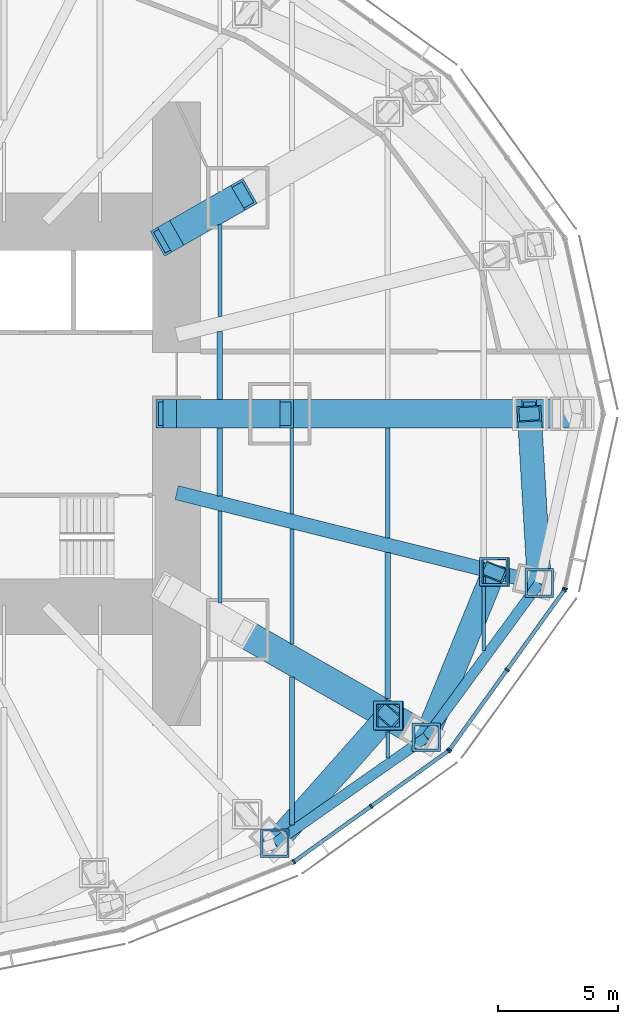
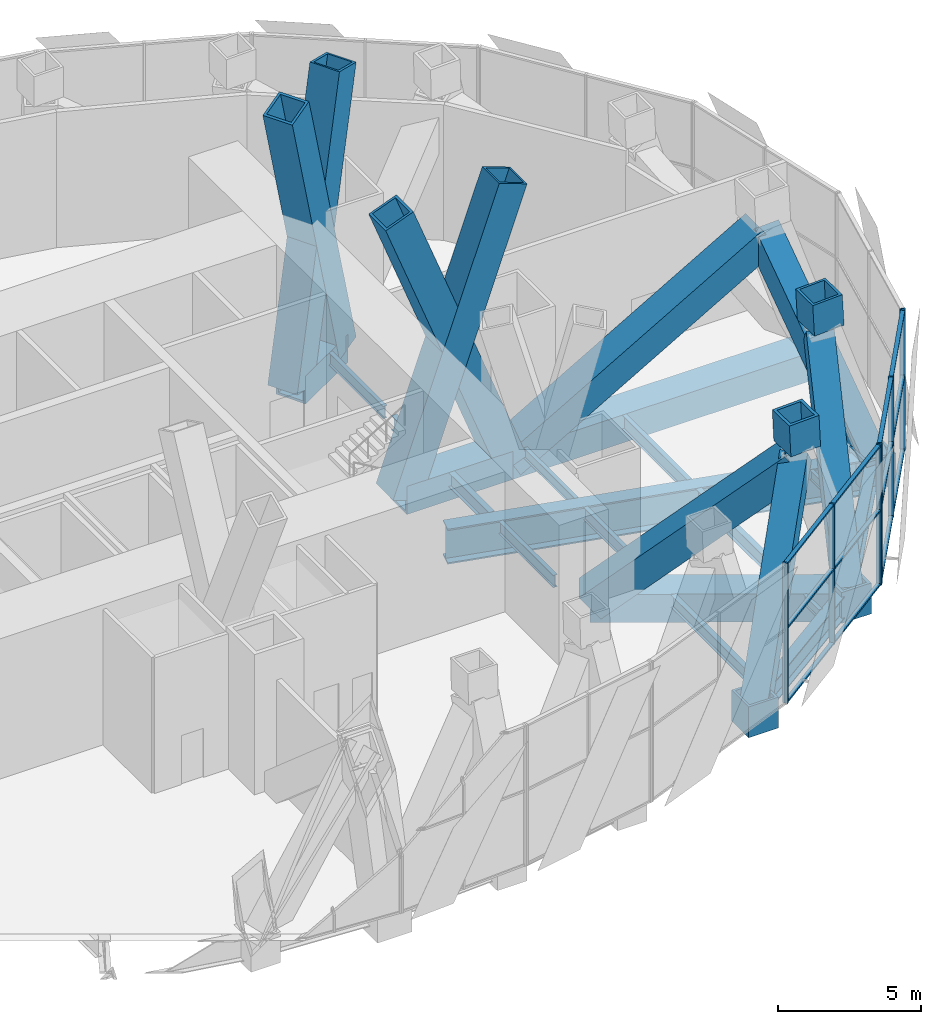
# One storey, part 6 of 21: 33 members, 18 beams, 3 elements without a shape of their own.
"""IFC4 building model written with IfcOpenShell, lengths in metres."""

import ifcopenshell
import ifcopenshell.guid

model = None  # the IFC model being written
_history = None  # IfcOwnerHistory: only IFC2X3 demands one
_inside = {}  # id of a spatial element -> (the spatial element, [elements in it])
_under = {}  # id of a project, library or spatial element -> (it, [spatial elements below it])
_declared = {}  # id of a project -> (the project, [libraries it declares])
_typed = {}  # id of a type object -> (the type object, [elements of that type])
_made_of = {}  # id of a material, layer set ... -> (it, [elements and type objects made of it])


def new_model(schema):
    """Start an empty IFC model of exactly this schema.

    Asked for "IFC4X3", IfcOpenShell would pick the latest addendum, in which some entities
    have other attributes; the version numbers below select the first issue.
    IFC2X3 requires an IfcOwnerHistory on every rooted entity: one is made here for all.
    """
    global model, _history
    if schema == "IFC4X3":
        model = ifcopenshell.file(schema_version=(4, 3, 0, 0))
    else:
        model = ifcopenshell.file(schema=schema)
    _inside.clear()
    _under.clear()
    _declared.clear()
    _typed.clear()
    _made_of.clear()
    _history = None
    if model.schema == "IFC2X3":
        org = make("IfcOrganization", Name="unknown")
        user = make(
            "IfcPersonAndOrganization",
            ThePerson=make("IfcPerson", FamilyName="unknown"),
            TheOrganization=org,
        )
        app = make(
            "IfcApplication",
            ApplicationDeveloper=org,
            Version="unknown",
            ApplicationFullName="unknown",
            ApplicationIdentifier="unknown",
        )
        _history = make(
            "IfcOwnerHistory",
            OwningUser=user,
            OwningApplication=app,
            ChangeAction="ADDED",
            CreationDate=0,
        )
    return model


def make(cls, **values):
    """One entity of the class cls with the attributes given. An attribute that is None is left unset."""
    return model.create_entity(
        cls, **{name: value for name, value in values.items() if value is not None}
    )


def rooted(cls, **values):
    """An entity with a GlobalId (a new one), such as an element, a storey or a relation."""
    return make(cls, GlobalId=ifcopenshell.guid.new(), OwnerHistory=_history, **values)


def si_unit(unit_type, name, prefix=None):
    """IfcSIUnit, for example si_unit("LENGTHUNIT", "METRE", prefix="MILLI")."""
    return make("IfcSIUnit", UnitType=unit_type, Prefix=prefix, Name=name)


def assignment(units):
    """IfcUnitAssignment: the units of a project."""
    return None if units is None else make("IfcUnitAssignment", Units=units)


def point(xyz):
    """IfcCartesianPoint."""
    return None if xyz is None else make("IfcCartesianPoint", Coordinates=xyz)


def direction(xyz):
    """IfcDirection."""
    return None if xyz is None else make("IfcDirection", DirectionRatios=xyz)


def frame(location, z_axis=None, x_axis=None):
    """IfcAxis2Placement3D, a coordinate frame: its origin and axes. An axis left out is left unset."""
    return make(
        "IfcAxis2Placement3D",
        Location=point(location),
        Axis=direction(z_axis),
        RefDirection=direction(x_axis),
    )


def frame_2d(location, x_axis=None):
    """IfcAxis2Placement2D, a coordinate frame in the plane: its origin and x axis."""
    return make(
        "IfcAxis2Placement2D", Location=point(location), RefDirection=direction(x_axis)
    )


def origin():
    """The frame at (0, 0, 0) with its axes left unset."""
    return frame((0.0, 0.0, 0.0))


def origin_2d():
    """The frame at (0, 0) in the plane with its x axis left unset."""
    return frame_2d((0.0, 0.0))


def place(relative_to, where):
    """IfcLocalPlacement: puts the frame where relative to a parent placement (None: the world)."""
    return make(
        "IfcLocalPlacement", PlacementRelTo=relative_to, RelativePlacement=where
    )


def context(
    kind, dimensions, precision=None, world=None, true_north=None, identifier=None
):
    """IfcGeometricRepresentationContext, for example the 3D "Model" context."""
    return make(
        "IfcGeometricRepresentationContext",
        ContextIdentifier=identifier,
        ContextType=kind,
        CoordinateSpaceDimension=dimensions,
        Precision=precision,
        WorldCoordinateSystem=world,
        TrueNorth=true_north,
    )


def subcontext(parent, identifier, kind, view, scale=None):
    """IfcGeometricRepresentationSubContext, for example "Body" below "Model"."""
    return make(
        "IfcGeometricRepresentationSubContext",
        ContextIdentifier=identifier,
        ContextType=kind,
        ParentContext=parent,
        TargetScale=scale,
        TargetView=view,
    )


def project(units=None, contexts=None):
    """IfcProject with its units and contexts."""
    return rooted(
        "IfcProject",
        Name="project",
        RepresentationContexts=contexts,
        UnitsInContext=assignment(units),
    )


def spatial(cls, under=None, at=None, **own):
    """A site, building, storey or space (cls), placed at a placement, below another one or the project."""
    s = rooted(cls, ObjectPlacement=at, **own)
    if under is not None:
        _under.setdefault(under.id(), (under, []))[1].append(s)
    return s


def profile(cls, at=None, kind="AREA", **sizes):
    """A parametric profile (cls). Its sizes go by their IFC names, for example OverallWidth=200.0."""
    return make(cls, ProfileType=kind, Position=at, **sizes)


def rectangle(**sizes):
    """IfcRectangleProfileDef."""
    return profile("IfcRectangleProfileDef", **sizes)


def hollow_rectangle(**sizes):
    """IfcRectangleHollowProfileDef."""
    return profile("IfcRectangleHollowProfileDef", **sizes)


def i_section(**sizes):
    """IfcIShapeProfileDef."""
    return profile("IfcIShapeProfileDef", **sizes)


def extrude(swept, where, along, depth):
    """IfcExtrudedAreaSolid: the profile swept, set in the frame where, extruded along a direction by depth."""
    return make(
        "IfcExtrudedAreaSolid",
        SweptArea=swept,
        Position=where,
        ExtrudedDirection=direction(along),
        Depth=depth,
    )


def shape(context_of_items, identifier, shape_type, items):
    """IfcShapeRepresentation: the items that make up one representation, for example the "Body"."""
    return make(
        "IfcShapeRepresentation",
        ContextOfItems=context_of_items,
        RepresentationIdentifier=identifier,
        RepresentationType=shape_type,
        Items=items,
    )


def material(Name=None, Category=None):
    """IfcMaterial."""
    return make("IfcMaterial", Name=Name, Category=Category)


def material_profile(
    of_material, cross_section, Name=None, Category=None, Priority=None
):
    """IfcMaterialProfile: a cross section and its material."""
    return make(
        "IfcMaterialProfile",
        Name=Name,
        Material=of_material,
        Profile=cross_section,
        Priority=Priority,
        Category=Category,
    )


def profile_set(profiles, Name=None, composite=None):
    """IfcMaterialProfileSet."""
    return make(
        "IfcMaterialProfileSet",
        Name=Name,
        MaterialProfiles=profiles,
        CompositeProfile=composite,
    )


def made_of(thing, what):
    """Note that an element or type object is made of a material, layer set ...; save() writes the relation."""
    if what is not None:
        _made_of.setdefault(what.id(), (what, []))[1].append(thing)
    return thing


def type_object(cls, material=None, **own):
    """A type object (cls), such as IfcWallType, which elements share."""
    return made_of(rooted(cls, **own), material)


def element(
    cls,
    number,
    at=None,
    inside=None,
    cuts=None,
    type_object=None,
    material=None,
    context=None,
    identifier="Body",
    shape_type=None,
    held_by="IfcProductDefinitionShape",
    body=None,
    shapes=None,
    **own,
):
    """One element of the class cls, such as IfcWall. Its Tag is "e" and its number.

    at: its placement. inside: the storey or other place that contains it. cuts: it is an
    opening in that element (IfcRelVoidsElement). A single representation is given by context,
    identifier, shape_type and body (its items); several are given by shapes. held_by: the class
    of the entity that holds the representations. save() writes the other relations.
    """
    e = rooted(cls, Tag="e%d" % number, ObjectPlacement=at, **own)
    if body is not None:
        shapes = [shape(context, identifier, shape_type, body)]
    if shapes is not None:
        e.Representation = make(held_by, Representations=shapes)
    if inside is not None:
        _inside.setdefault(inside.id(), (inside, []))[1].append(e)
    if cuts is not None:
        rooted(
            "IfcRelVoidsElement", RelatingBuildingElement=cuts, RelatedOpeningElement=e
        )
    if type_object is not None:
        _typed.setdefault(type_object.id(), (type_object, []))[1].append(e)
    return made_of(e, material)


def aggregate(whole, parts):
    """IfcRelAggregates: a whole, such as a stair, and the parts it consists of."""
    return rooted("IfcRelAggregates", RelatingObject=whole, RelatedObjects=parts)


def save(model, path):
    """Write the relations noted so far, then the file.

    IfcRelAggregates (storeys below a building ...), IfcRelContainedInSpatialStructure (elements
    in a storey), IfcRelDefinesByType, IfcRelAssociatesMaterial and IfcRelDeclares: one each for
    every whole, place, type object, material and project.
    """
    for whole, parts in _under.values():
        aggregate(whole, parts)
    for where, things in _inside.values():
        rooted(
            "IfcRelContainedInSpatialStructure",
            RelatedElements=things,
            RelatingStructure=where,
        )
    for kind, things in _typed.values():
        rooted("IfcRelDefinesByType", RelatedObjects=things, RelatingType=kind)
    for what, things in _made_of.values():
        rooted("IfcRelAssociatesMaterial", RelatedObjects=things, RelatingMaterial=what)
    for by, libraries in _declared.values():
        rooted("IfcRelDeclares", RelatingContext=by, RelatedDefinitions=libraries)
    model.write(path)


model = new_model("IFC4")

# Units and contexts
model_context = context("Model", 3, precision=1e-05, world=origin(), true_north=direction((0.0, 1.0)))
body_context = subcontext(model_context, "Body", "Model", "MODEL_VIEW")
ifc_project = project(units=[si_unit("LENGTHUNIT", "METRE"), si_unit("AREAUNIT", "SQUARE_METRE"), si_unit("VOLUMEUNIT", "CUBIC_METRE"), si_unit("PLANEANGLEUNIT", "RADIAN"), si_unit("MASSUNIT", "GRAM", prefix="KILO")], contexts=[model_context])

# Site, building, storey
site_placement = place(None, origin())
site = spatial("IfcSite", under=ifc_project, at=site_placement, CompositionType="ELEMENT")
building_placement = place(site_placement, origin())
building = spatial("IfcBuilding", under=site, at=building_placement, Name="Lantaw Convention Tower", CompositionType="ELEMENT")
storey_placement = place(building_placement, frame((0.0, 0.0, 105.39990234375)))
storey = spatial("IfcBuildingStorey", under=building, at=storey_placement, Name="L25", CompositionType="ELEMENT", Elevation=105.39990234375)

# Beams
ifc_material_1 = material(Name="Steel ASTM A992", Category="steel")
ifc_material_profile_1 = material_profile(ifc_material_1, i_section(OverallWidth=0.424072265625, OverallDepth=0.947509765625, WebThickness=0.02392578125, FlangeThickness=0.042724609375, FilletRadius=0.012451171875, at=origin_2d()), Name="W36X302")
ifc_profile_set_1 = profile_set([ifc_material_profile_1], Name="Steel ASTM A992")
beam_type_1 = type_object("IfcBeamType", Name="Beam BC W36X302", PredefinedType="SPANDREL", material=ifc_profile_set_1)
beam_1_placement = place(storey_placement, frame((17.290771484375, -17.9052734375, -0.673583984375), z_axis=(0.81942686407, 0.57318375277, 0.0), x_axis=(-0.57318375277, 0.81942686407, 0.0)))
element("IfcBeam", 1, at=beam_1_placement, inside=storey, type_object=beam_type_1, Name="Belt truss chord 22", PredefinedType="SPANDREL", context=body_context, shape_type="SweptSolid", body=[
    extrude(i_section(OverallWidth=0.424072265625, OverallDepth=0.947509765625, WebThickness=0.02392578125, FlangeThickness=0.042724609375, FilletRadius=0.012451171875, at=origin_2d()), origin(), (0.0, 0.0, 1.0), 7.70556640625),
])
beam_2_placement = place(storey_placement, frame((23.60498046875, -13.488525390625, -0.673583984375), z_axis=(0.591270709086, 0.806473154281, 0.0), x_axis=(-0.806473154281, 0.591270709086, 0.0)))
element("IfcBeam", 2, at=beam_2_placement, inside=storey, type_object=beam_type_1, Name="Belt truss chord 23", PredefinedType="SPANDREL", context=body_context, shape_type="SweptSolid", body=[
    extrude(i_section(OverallWidth=0.424072265625, OverallDepth=0.947509765625, WebThickness=0.02392578125, FlangeThickness=0.042724609375, FilletRadius=0.012451171875, at=origin_2d()), origin(), (0.0, 0.0, 1.0), 7.970703125),
])
ifc_material_2 = material(Name="Steel EN 10025-3 S460N", Category="steel")
ifc_material_profile_2 = material_profile(ifc_material_2, hollow_rectangle(XDim=1.199951171875, YDim=1.199951171875, WallThickness=0.10009765625, at=origin_2d()), Name="BOX1200X100")
ifc_profile_set_2 = profile_set([ifc_material_profile_2], Name="Steel EN 10025-3 S460N")
beam_type_2 = type_object("IfcBeamType", Name="Beam G BOX1200X100", PredefinedType="BEAM", material=ifc_profile_set_2)
beam_3_placement = place(storey_placement, frame((17.5, 0.0, -0.7998046875), z_axis=(1.0, 0.0, 0.0), x_axis=(0.0, 1.0, 0.0)))
element("IfcBeam", 3, at=beam_3_placement, inside=storey, type_object=beam_type_2, Name="Floor girder on ray 1", PredefinedType="BEAM", context=body_context, shape_type="SweptSolid", body=[
    extrude(hollow_rectangle(XDim=1.199951171875, YDim=1.199951171875, WallThickness=0.10009765625, at=origin_2d()), origin(), (0.0, 0.0, 1.0), 12.39990234375),
])
beam_4_placement = place(storey_placement, frame((15.75, -9.0, -0.7998046875), z_axis=(0.868244802791, -0.496136032179, 0.0), x_axis=(0.496136032179, 0.868244802791, 0.0)))
element("IfcBeam", 4, at=beam_4_placement, inside=storey, type_object=beam_type_2, Name="Floor girder on ray 23", PredefinedType="BEAM", context=body_context, shape_type="SweptSolid", body=[
    extrude(hollow_rectangle(XDim=1.199951171875, YDim=1.199951171875, WallThickness=0.10009765625, at=origin_2d()), origin(), (0.0, 0.0, 1.0), 9.046875),
])
ifc_material_3 = material(Name="Steel ASTM A572 Grade 50", Category="steel")
ifc_material_profile_3 = material_profile(ifc_material_3, i_section(OverallWidth=0.60009765625, OverallDepth=1.5, WebThickness=0.02490234375, FlangeThickness=0.06005859375, at=origin_2d()), Name="PG1500X600X25X60")
ifc_profile_set_3 = profile_set([ifc_material_profile_3], Name="Steel ASTM A572 Grade 50")
beam_type_3 = type_object("IfcBeamType", Name="Beam G PG1500X600X25X60", PredefinedType="BEAM", material=ifc_profile_set_3)
beam_5_placement = place(storey_placement, frame((13.199951171875, -3.291015625, -0.949951171875), z_axis=(0.970296233567, -0.241919860957, 0.0), x_axis=(0.241919860957, 0.970296233567, 0.0)))
element("IfcBeam", 5, at=beam_5_placement, inside=storey, type_object=beam_type_3, Name="Floor girder on ray 24", PredefinedType="BEAM", context=body_context, shape_type="SweptSolid", body=[
    extrude(i_section(OverallWidth=0.60009765625, OverallDepth=1.5, WebThickness=0.02490234375, FlangeThickness=0.06005859375, at=origin_2d()), origin(), (0.0, 0.0, 1.0), 15.580810546875),
])
ifc_material_profile_4 = material_profile(ifc_material_1, i_section(OverallWidth=0.140380859375, OverallDepth=0.40380859375, WebThickness=0.007080078125, FlangeThickness=0.01123046875, FilletRadius=0.01025390625, at=origin_2d()), Name="W16X31")
ifc_profile_set_4 = profile_set([ifc_material_profile_4], Name="Steel ASTM A992")
beam_type_4 = type_object("IfcBeamType", Name="Beam J W16X31", PredefinedType="JOIST", material=ifc_profile_set_4)
beam_6_placement = place(storey_placement, frame((22.0, -14.352294921875, -0.40185546875), z_axis=(0.0, 1.0, 0.0), x_axis=(-1.0, 0.0, 0.0)))
element("IfcBeam", 6, at=beam_6_placement, inside=storey, type_object=beam_type_4, Name="Floor joist", PredefinedType="JOIST", context=body_context, shape_type="SweptSolid", body=[
    extrude(i_section(OverallWidth=0.140380859375, OverallDepth=0.40380859375, WebThickness=0.007080078125, FlangeThickness=0.01123046875, FilletRadius=0.01025390625, at=origin_2d()), origin(), (0.0, 0.0, 1.0), 1.08984375),
])
beam_7_placement = place(storey_placement, frame((26.0, -9.863037109375, -0.40185546875), z_axis=(0.0, 1.0, 0.0), x_axis=(-1.0, 0.0, 0.0)))
element("IfcBeam", 7, at=beam_7_placement, inside=storey, type_object=beam_type_4, Name="Floor joist", PredefinedType="JOIST", context=body_context, shape_type="SweptSolid", body=[
    extrude(i_section(OverallWidth=0.140380859375, OverallDepth=0.40380859375, WebThickness=0.007080078125, FlangeThickness=0.01123046875, FilletRadius=0.01025390625, at=origin_2d()), origin(), (0.0, 0.0, 1.0), 3.0712890625),
])
ifc_material_profile_5 = material_profile(ifc_material_1, i_section(OverallWidth=0.15234375, OverallDepth=0.449462890625, WebThickness=0.007568359375, FlangeThickness=0.0107421875, FilletRadius=0.01025390625, at=origin_2d()), Name="W18X35")
ifc_profile_set_5 = profile_set([ifc_material_profile_5], Name="Steel ASTM A992")
beam_type_5 = type_object("IfcBeamType", Name="Beam J W18X35", PredefinedType="JOIST", material=ifc_profile_set_5)
beam_8_placement = place(storey_placement, frame((18.0, -4.1787109375, -0.4248046875), z_axis=(0.0, 1.0, 0.0), x_axis=(-1.0, 0.0, 0.0)))
element("IfcBeam", 8, at=beam_8_placement, inside=storey, type_object=beam_type_5, Name="Floor joist", PredefinedType="JOIST", context=body_context, shape_type="SweptSolid", body=[
    extrude(i_section(OverallWidth=0.15234375, OverallDepth=0.449462890625, WebThickness=0.007568359375, FlangeThickness=0.0107421875, FilletRadius=0.01025390625, at=origin_2d()), origin(), (0.0, 0.0, 1.0), 3.57861328125),
])
ifc_material_profile_6 = material_profile(ifc_material_1, i_section(OverallWidth=0.1650390625, OverallDepth=0.52587890625, WebThickness=0.0087890625, FlangeThickness=0.011474609375, FilletRadius=0.0126953125, at=origin_2d()), Name="W21X44")
ifc_profile_set_6 = profile_set([ifc_material_profile_6], Name="Steel ASTM A992")
beam_type_6 = type_object("IfcBeamType", Name="Beam J W21X44", PredefinedType="JOIST", material=ifc_profile_set_6)
for number, where, z_axis, x_axis, name in (
    (9, (15.0, -7.88037109375, -0.462890625), (0.0, 1.0, 0.0), (-1.0, 0.0, 0.0), "Floor joist"),
    (10, (15.0, 4.049072265625, -0.462890625), (0.0, 1.0, 0.0), (-1.0, 0.0, 0.0), "Floor joist"),
):
    element("IfcBeam", number, at=place(storey_placement, frame(where, z_axis=z_axis, x_axis=x_axis)), inside=storey, type_object=beam_type_6, Name=name, PredefinedType="JOIST", context=body_context, shape_type="SweptSolid", body=[
        extrude(i_section(OverallWidth=0.1650390625, OverallDepth=0.52587890625, WebThickness=0.0087890625, FlangeThickness=0.011474609375, FilletRadius=0.0126953125, at=origin_2d()), origin(), (0.0, 0.0, 1.0), 3.831298828125),
    ])
beam_9_placement = place(storey_placement, frame((18.0, -9.5947265625, -0.462890625), z_axis=(0.0, 1.0, 0.0), x_axis=(-1.0, 0.0, 0.0)))
element("IfcBeam", 11, at=beam_9_placement, inside=storey, type_object=beam_type_6, Name="Floor joist", PredefinedType="JOIST", context=body_context, shape_type="SweptSolid", body=[
    extrude(i_section(OverallWidth=0.1650390625, OverallDepth=0.52587890625, WebThickness=0.0087890625, FlangeThickness=0.011474609375, FilletRadius=0.0126953125, at=origin_2d()), origin(), (0.0, 0.0, 1.0), 4.797607421875),
])
ifc_material_profile_7 = material_profile(ifc_material_1, i_section(OverallWidth=0.209228515625, OverallDepth=0.533447265625, WebThickness=0.01025390625, FlangeThickness=0.015625, FilletRadius=0.012939453125, at=origin_2d()), Name="W21X62")
ifc_profile_set_7 = profile_set([ifc_material_profile_7], Name="Steel ASTM A992")
beam_type_7 = type_object("IfcBeamType", Name="Beam J W21X62", PredefinedType="JOIST", material=ifc_profile_set_7)
beam_10_placement = place(storey_placement, frame((18.0, -17.150390625, -0.466552734375), z_axis=(0.0, 1.0, 0.0), x_axis=(-1.0, 0.0, 0.0)))
element("IfcBeam", 12, at=beam_10_placement, inside=storey, type_object=beam_type_7, Name="Floor joist", PredefinedType="JOIST", context=body_context, shape_type="SweptSolid", body=[
    extrude(i_section(OverallWidth=0.209228515625, OverallDepth=0.533447265625, WebThickness=0.01025390625, FlangeThickness=0.015625, FilletRadius=0.012939453125, at=origin_2d()), origin(), (0.0, 0.0, 1.0), 6.173583984375),
])
ifc_material_profile_8 = material_profile(ifc_material_1, i_section(OverallWidth=0.177978515625, OverallDepth=0.599365234375, WebThickness=0.010009765625, FlangeThickness=0.012939453125, FilletRadius=0.012939453125, at=origin_2d()), Name="W24X55")
ifc_profile_set_8 = profile_set([ifc_material_profile_8], Name="Steel ASTM A992")
beam_type_8 = type_object("IfcBeamType", Name="Beam J W24X55", PredefinedType="JOIST", material=ifc_profile_set_8)
beam_11_placement = place(storey_placement, frame((22.0, -5.176025390625, -0.49951171875), z_axis=(0.0, 1.0, 0.0), x_axis=(-1.0, 0.0, 0.0)))
element("IfcBeam", 13, at=beam_11_placement, inside=storey, type_object=beam_type_8, Name="Floor joist", PredefinedType="JOIST", context=body_context, shape_type="SweptSolid", body=[
    extrude(i_section(OverallWidth=0.177978515625, OverallDepth=0.599365234375, WebThickness=0.010009765625, FlangeThickness=0.012939453125, FilletRadius=0.012939453125, at=origin_2d()), origin(), (0.0, 0.0, 1.0), 4.575927734375),
])
ifc_material_profile_9 = material_profile(ifc_material_1, i_section(OverallWidth=0.227783203125, OverallDepth=0.60205078125, WebThickness=0.010498046875, FlangeThickness=0.014892578125, FilletRadius=0.012939453125, at=origin_2d()), Name="W24X68")
ifc_profile_set_9 = profile_set([ifc_material_profile_9], Name="Steel ASTM A992")
beam_type_9 = type_object("IfcBeamType", Name="Beam J W24X68", PredefinedType="JOIST", material=ifc_profile_set_9)
beam_12_placement = place(storey_placement, frame((22.0, -11.88037109375, -0.5009765625), z_axis=(0.0, 1.0, 0.0), x_axis=(-1.0, 0.0, 0.0)))
element("IfcBeam", 14, at=beam_12_placement, inside=storey, type_object=beam_type_9, Name="Floor joist", PredefinedType="JOIST", context=body_context, shape_type="SweptSolid", body=[
    extrude(i_section(OverallWidth=0.227783203125, OverallDepth=0.60205078125, WebThickness=0.010498046875, FlangeThickness=0.014892578125, FilletRadius=0.012939453125, at=origin_2d()), origin(), (0.0, 0.0, 1.0), 6.0859375),
])
ifc_material_profile_10 = material_profile(ifc_material_1, i_section(OverallWidth=0.22900390625, OverallDepth=0.612060546875, WebThickness=0.011962890625, FlangeThickness=0.01953125, FilletRadius=0.0126953125, at=origin_2d()), Name="W24X84")
ifc_profile_set_10 = profile_set([ifc_material_profile_10], Name="Steel ASTM A992")
beam_type_10 = type_object("IfcBeamType", Name="Beam J W24X84", PredefinedType="JOIST", material=ifc_profile_set_10)
for number, where, z_axis, x_axis, name in (
    (15, (15.0, -3.4306640625, -0.505859375), (0.0, 1.0, 0.0), (-1.0, 0.0, 0.0), "Floor joist"),
    (16, (15.0, 0.60009765625, -0.505859375), (0.0, 1.0, 0.0), (-1.0, 0.0, 0.0), "Floor joist"),
):
    element("IfcBeam", number, at=place(storey_placement, frame(where, z_axis=z_axis, x_axis=x_axis)), inside=storey, type_object=beam_type_10, Name=name, PredefinedType="JOIST", context=body_context, shape_type="SweptSolid", body=[
        extrude(i_section(OverallWidth=0.22900390625, OverallDepth=0.612060546875, WebThickness=0.011962890625, FlangeThickness=0.01953125, FilletRadius=0.0126953125, at=origin_2d()), origin(), (0.0, 0.0, 1.0), 2.83056640625),
    ])
ifc_material_profile_11 = material_profile(ifc_material_2, hollow_rectangle(XDim=1.199951171875, YDim=1.199951171875, WallThickness=0.10009765625, at=origin_2d()), Name="BOX1200X100")
ifc_profile_set_11 = profile_set([ifc_material_profile_11], Name="Steel EN 10025-3 S460N")
beam_type_11 = type_object("IfcBeamType", Name="Beam OC BOX1200X100", PredefinedType="BEAM", material=ifc_profile_set_11)
beam_13_placement = place(storey_placement, frame((13.199951171875, 0.0, -0.7998046875), z_axis=(1.0, 0.0, 0.0), x_axis=(0.0, 1.0, 0.0)))
element("IfcBeam", 17, at=beam_13_placement, inside=storey, type_object=beam_type_11, Name="Outrigger chord on ray 1", PredefinedType="BEAM", context=body_context, shape_type="SweptSolid", body=[
    extrude(hollow_rectangle(XDim=1.199951171875, YDim=1.199951171875, WallThickness=0.10009765625, at=origin_2d()), origin(), (0.0, 0.0, 1.0), 4.300048828125),
])
beam_14_placement = place(storey_placement, frame((13.199951171875, 7.54296875, -0.7998046875), z_axis=(0.868263603466, 0.496103129295, 0.0), x_axis=(-0.496103129295, 0.868263603466, 0.0)))
element("IfcBeam", 18, at=beam_14_placement, inside=storey, type_object=beam_type_11, Name="Outrigger chord on ray 3", PredefinedType="BEAM", context=body_context, shape_type="SweptSolid", body=[
    extrude(hollow_rectangle(XDim=1.199951171875, YDim=1.199951171875, WallThickness=0.10009765625, at=origin_2d()), origin(), (0.0, 0.0, 1.0), 2.93701171875),
])

# Curtain wall, members
ifc_material_4 = material(Name="Aluminium framed curtain wall", Category="aluminium")
curtain_wall_type = type_object("IfcCurtainWallType", Name="Plant floor louvre wall, pale aluminium", PredefinedType="USERDEFINED", material=ifc_material_4)
curtain_wall_1_placement = place(storey_placement, origin())
curtain_wall_1 = element("IfcCurtainWall", 19, at=curtain_wall_1_placement, inside=storey, type_object=curtain_wall_type, Name="Plant floor louvre wall, pale aluminium L25", ObjectType="LOUVRE WALL", PredefinedType="USERDEFINED")
ifc_material_5 = material(Name="Aluminium 6063-T6", Category="aluminium")
ifc_material_profile_12 = material_profile(ifc_material_5, rectangle(XDim=0.199951171875, YDim=0.070068359375, at=origin_2d()), Name="CW-LV mullion 70x200")
ifc_profile_set_12 = profile_set([ifc_material_profile_12], Name="Aluminium 6063-T6")
member_type_1 = type_object("IfcMemberType", Name="CW-LV mullion 70x200", PredefinedType="MULLION", material=ifc_profile_set_12)
member_1_placement = place(storey_placement, frame((18.08349609375, -18.676025390625, -0.199951171875), z_axis=(0.0, 0.0, 1.0), x_axis=(-0.5825376308, 0.812803733199, 0.0)))
member_1 = element("IfcMember", 20, at=member_1_placement, type_object=member_type_1, Name="CW-LV mullion 1", PredefinedType="MULLION", context=body_context, shape_type="SweptSolid", body=[
    extrude(rectangle(XDim=0.199951171875, YDim=0.070068359375, at=origin_2d()), origin(), (0.0, 0.0, 1.0), 6.0),
])
member_2_placement = place(storey_placement, frame((21.307373046875, -16.365478515625, -0.199951171875), z_axis=(0.0, 0.0, 1.0), x_axis=(-0.5825376308, 0.812803733199, 0.0)))
member_2 = element("IfcMember", 21, at=member_2_placement, type_object=member_type_1, Name="CW-LV mullion 2", PredefinedType="MULLION", context=body_context, shape_type="SweptSolid", body=[
    extrude(rectangle(XDim=0.199951171875, YDim=0.070068359375, at=origin_2d()), origin(), (0.0, 0.0, 1.0), 6.0),
])
member_3_placement = place(storey_placement, frame((24.531494140625, -14.0546875, -0.199951171875), z_axis=(0.0, 0.0, 1.0), x_axis=(-0.5825376308, 0.812803733199, 0.0)))
member_3 = element("IfcMember", 22, at=member_3_placement, type_object=member_type_1, Name="CW-LV mullion 3", PredefinedType="MULLION", context=body_context, shape_type="SweptSolid", body=[
    extrude(rectangle(XDim=0.199951171875, YDim=0.070068359375, at=origin_2d()), origin(), (0.0, 0.0, 1.0), 6.0),
])

curtain_wall_2_placement = place(storey_placement, origin())
curtain_wall_2 = element("IfcCurtainWall", 23, at=curtain_wall_2_placement, inside=storey, type_object=curtain_wall_type, Name="Plant floor louvre wall, pale aluminium L25", ObjectType="LOUVRE WALL", PredefinedType="USERDEFINED")
member_4_placement = place(storey_placement, frame((24.580322265625, -14.005859375, -0.199951171875), z_axis=(0.0, 0.0, 1.0), x_axis=(-0.811788726895, 0.583951250436, 0.0)))
member_4 = element("IfcMember", 24, at=member_4_placement, type_object=member_type_1, Name="CW-LV mullion 1", PredefinedType="MULLION", context=body_context, shape_type="SweptSolid", body=[
    extrude(rectangle(XDim=0.199951171875, YDim=0.070068359375, at=origin_2d()), origin(), (0.0, 0.0, 1.0), 6.0),
])
member_5_placement = place(storey_placement, frame((26.97265625, -10.680419921875, -0.199951171875), z_axis=(0.0, 0.0, 1.0), x_axis=(-0.811788726895, 0.583951250436, 0.0)))
member_5 = element("IfcMember", 25, at=member_5_placement, type_object=member_type_1, Name="CW-LV mullion 2", PredefinedType="MULLION", context=body_context, shape_type="SweptSolid", body=[
    extrude(rectangle(XDim=0.199951171875, YDim=0.070068359375, at=origin_2d()), origin(), (0.0, 0.0, 1.0), 6.0),
])
member_6_placement = place(storey_placement, frame((29.36474609375, -7.35498046875, -0.199951171875), z_axis=(0.0, 0.0, 1.0), x_axis=(-0.811788726895, 0.583951250436, 0.0)))
member_6 = element("IfcMember", 26, at=member_6_placement, type_object=member_type_1, Name="CW-LV mullion 3", PredefinedType="MULLION", context=body_context, shape_type="SweptSolid", body=[
    extrude(rectangle(XDim=0.199951171875, YDim=0.070068359375, at=origin_2d()), origin(), (0.0, 0.0, 1.0), 6.0),
])

# Curtain wall, member
curtain_wall_3_placement = place(storey_placement, origin())
curtain_wall_3 = element("IfcCurtainWall", 27, at=curtain_wall_3_placement, inside=storey, type_object=curtain_wall_type, Name="Plant floor louvre wall, pale aluminium L25", ObjectType="LOUVRE WALL", PredefinedType="USERDEFINED")
member_7_placement = place(storey_placement, frame((29.392578125, -7.29248046875, -0.199951171875), z_axis=(0.0, 0.0, 1.0), x_axis=(-0.976559847223, 0.215246056391, 0.0)))
member_7 = element("IfcMember", 28, at=member_7_placement, type_object=member_type_1, Name="CW-LV mullion 1", PredefinedType="MULLION", context=body_context, shape_type="SweptSolid", body=[
    extrude(rectangle(XDim=0.199951171875, YDim=0.070068359375, at=origin_2d()), origin(), (0.0, 0.0, 1.0), 6.0),
])
aggregate(curtain_wall_3, [member_7])

# Member
ifc_material_profile_13 = material_profile(ifc_material_5, rectangle(XDim=0.159912109375, YDim=0.070068359375, at=origin_2d()), Name="CW-LV transom 70x160")
ifc_profile_set_13 = profile_set([ifc_material_profile_13], Name="Aluminium 6063-T6")
member_type_2 = type_object("IfcMemberType", Name="CW-LV transom 70x160", PredefinedType="USERDEFINED", material=ifc_profile_set_13)
member_8_placement = place(storey_placement, frame((18.11181640625, -18.65576171875, -0.164794921875), z_axis=(0.812796855992, 0.582547226317, 0.0), x_axis=(-0.582547226317, 0.812796855992, 0.0)))
member_8 = element("IfcMember", 29, at=member_8_placement, type_object=member_type_2, Name="CW-LV transom 1.1", ObjectType="TRANSOM", PredefinedType="USERDEFINED", context=body_context, shape_type="SweptSolid", body=[
    extrude(rectangle(XDim=0.159912109375, YDim=0.070068359375, at=origin_2d()), origin(), (0.0, 0.0, 1.0), 3.896728515625),
])

member_9_placement = place(storey_placement, frame((18.11181640625, -18.65576171875, 3.0), z_axis=(0.812796855992, 0.582547226317, 0.0), x_axis=(-0.582547226317, 0.812796855992, 0.0)))
member_9 = element("IfcMember", 30, at=member_9_placement, type_object=member_type_2, Name="CW-LV transom 1.2", ObjectType="TRANSOM", PredefinedType="USERDEFINED", context=body_context, shape_type="SweptSolid", body=[
    extrude(rectangle(XDim=0.159912109375, YDim=0.070068359375, at=origin_2d()), origin(), (0.0, 0.0, 1.0), 3.896728515625),
])

member_10_placement = place(storey_placement, frame((18.11181640625, -18.65576171875, 5.76513671875), z_axis=(0.812796855992, 0.582547226317, 0.0), x_axis=(-0.582547226317, 0.812796855992, 0.0)))
member_10 = element("IfcMember", 31, at=member_10_placement, type_object=member_type_2, Name="CW-LV transom 1.3", ObjectType="TRANSOM", PredefinedType="USERDEFINED", context=body_context, shape_type="SweptSolid", body=[
    extrude(rectangle(XDim=0.159912109375, YDim=0.070068359375, at=origin_2d()), origin(), (0.0, 0.0, 1.0), 3.896728515625),
])

member_11_placement = place(storey_placement, frame((21.3359375, -16.344970703125, -0.164794921875), z_axis=(0.812796855992, 0.582547226317, 0.0), x_axis=(-0.582547226317, 0.812796855992, 0.0)))
member_11 = element("IfcMember", 32, at=member_11_placement, type_object=member_type_2, Name="CW-LV transom 2.1", ObjectType="TRANSOM", PredefinedType="USERDEFINED", context=body_context, shape_type="SweptSolid", body=[
    extrude(rectangle(XDim=0.159912109375, YDim=0.070068359375, at=origin_2d()), origin(), (0.0, 0.0, 1.0), 3.896728515625),
])

member_12_placement = place(storey_placement, frame((21.3359375, -16.344970703125, 3.0), z_axis=(0.812796855992, 0.582547226317, 0.0), x_axis=(-0.582547226317, 0.812796855992, 0.0)))
member_12 = element("IfcMember", 33, at=member_12_placement, type_object=member_type_2, Name="CW-LV transom 2.2", ObjectType="TRANSOM", PredefinedType="USERDEFINED", context=body_context, shape_type="SweptSolid", body=[
    extrude(rectangle(XDim=0.159912109375, YDim=0.070068359375, at=origin_2d()), origin(), (0.0, 0.0, 1.0), 3.896728515625),
])

member_13_placement = place(storey_placement, frame((21.3359375, -16.344970703125, 5.76513671875), z_axis=(0.812796855992, 0.582547226317, 0.0), x_axis=(-0.582547226317, 0.812796855992, 0.0)))
member_13 = element("IfcMember", 34, at=member_13_placement, type_object=member_type_2, Name="CW-LV transom 2.3", ObjectType="TRANSOM", PredefinedType="USERDEFINED", context=body_context, shape_type="SweptSolid", body=[
    extrude(rectangle(XDim=0.159912109375, YDim=0.070068359375, at=origin_2d()), origin(), (0.0, 0.0, 1.0), 3.896728515625),
])

aggregate(curtain_wall_1, [member_1, member_2, member_3, member_8, member_9, member_10, member_11, member_12, member_13])

member_14_placement = place(storey_placement, frame((24.600830078125, -13.9775390625, -0.164794921875), z_axis=(0.583942092364, 0.811795314574, 0.0), x_axis=(-0.811795314574, 0.583942092364, 0.0)))
member_14 = element("IfcMember", 35, at=member_14_placement, type_object=member_type_2, Name="CW-LV transom 1.1", ObjectType="TRANSOM", PredefinedType="USERDEFINED", context=body_context, shape_type="SweptSolid", body=[
    extrude(rectangle(XDim=0.159912109375, YDim=0.070068359375, at=origin_2d()), origin(), (0.0, 0.0, 1.0), 4.026611328125),
])

member_15_placement = place(storey_placement, frame((24.600830078125, -13.9775390625, 3.0), z_axis=(0.583942092364, 0.811795314574, 0.0), x_axis=(-0.811795314574, 0.583942092364, 0.0)))
member_15 = element("IfcMember", 36, at=member_15_placement, type_object=member_type_2, Name="CW-LV transom 1.2", ObjectType="TRANSOM", PredefinedType="USERDEFINED", context=body_context, shape_type="SweptSolid", body=[
    extrude(rectangle(XDim=0.159912109375, YDim=0.070068359375, at=origin_2d()), origin(), (0.0, 0.0, 1.0), 4.026611328125),
])

member_16_placement = place(storey_placement, frame((24.600830078125, -13.9775390625, 5.76513671875), z_axis=(0.583942092364, 0.811795314574, 0.0), x_axis=(-0.811795314574, 0.583942092364, 0.0)))
member_16 = element("IfcMember", 37, at=member_16_placement, type_object=member_type_2, Name="CW-LV transom 1.3", ObjectType="TRANSOM", PredefinedType="USERDEFINED", context=body_context, shape_type="SweptSolid", body=[
    extrude(rectangle(XDim=0.159912109375, YDim=0.070068359375, at=origin_2d()), origin(), (0.0, 0.0, 1.0), 4.026611328125),
])

member_17_placement = place(storey_placement, frame((26.992919921875, -10.652099609375, -0.164794921875), z_axis=(0.583942092364, 0.811795314574, 0.0), x_axis=(-0.811795314574, 0.583942092364, 0.0)))
member_17 = element("IfcMember", 38, at=member_17_placement, type_object=member_type_2, Name="CW-LV transom 2.1", ObjectType="TRANSOM", PredefinedType="USERDEFINED", context=body_context, shape_type="SweptSolid", body=[
    extrude(rectangle(XDim=0.159912109375, YDim=0.070068359375, at=origin_2d()), origin(), (0.0, 0.0, 1.0), 4.026611328125),
])

member_18_placement = place(storey_placement, frame((26.992919921875, -10.652099609375, 3.0), z_axis=(0.583942092364, 0.811795314574, 0.0), x_axis=(-0.811795314574, 0.583942092364, 0.0)))
member_18 = element("IfcMember", 39, at=member_18_placement, type_object=member_type_2, Name="CW-LV transom 2.2", ObjectType="TRANSOM", PredefinedType="USERDEFINED", context=body_context, shape_type="SweptSolid", body=[
    extrude(rectangle(XDim=0.159912109375, YDim=0.070068359375, at=origin_2d()), origin(), (0.0, 0.0, 1.0), 4.026611328125),
])

member_19_placement = place(storey_placement, frame((26.992919921875, -10.652099609375, 5.76513671875), z_axis=(0.583942092364, 0.811795314574, 0.0), x_axis=(-0.811795314574, 0.583942092364, 0.0)))
member_19 = element("IfcMember", 40, at=member_19_placement, type_object=member_type_2, Name="CW-LV transom 2.3", ObjectType="TRANSOM", PredefinedType="USERDEFINED", context=body_context, shape_type="SweptSolid", body=[
    extrude(rectangle(XDim=0.159912109375, YDim=0.070068359375, at=origin_2d()), origin(), (0.0, 0.0, 1.0), 4.026611328125),
])

aggregate(curtain_wall_2, [member_4, member_5, member_6, member_14, member_15, member_16, member_17, member_18, member_19])

# Members
ifc_material_profile_14 = material_profile(ifc_material_3, hollow_rectangle(XDim=1.0, YDim=1.0, WallThickness=0.080078125, at=origin_2d()), Name="BOX1000X80")
ifc_profile_set_14 = profile_set([ifc_material_profile_14], Name="Steel ASTM A572 Grade 50")
member_type_3 = type_object("IfcMemberType", Name="Member BT BOX1000X80", PredefinedType="BRACE", material=ifc_profile_set_14)
member_20_placement = place(storey_placement, frame((17.290771484375, -17.9052734375, -0.673583984375), z_axis=(0.507326813545, 0.57207352618, 0.644477606207), x_axis=(-0.748177059464, 0.663499124107, 0.0)))
element("IfcMember", 41, at=member_20_placement, inside=storey, type_object=member_type_3, Name="Belt truss diagonal 22", PredefinedType="BRACE", context=body_context, shape_type="SweptSolid", body=[
    extrude(hollow_rectangle(XDim=1.0, YDim=1.0, WallThickness=0.080078125, at=origin_2d()), origin(), (0.0, 0.0, 1.0), 9.309814453125),
])
member_21_placement = place(storey_placement, frame((23.60498046875, -13.488525390625, -0.673583984375), z_axis=(0.294193876432, 0.721272549782, 0.62706927209), x_axis=(-0.925938832238, 0.377673508409, 0.0)))
element("IfcMember", 42, at=member_21_placement, inside=storey, type_object=member_type_3, Name="Belt truss diagonal 23", PredefinedType="BRACE", context=body_context, shape_type="SweptSolid", body=[
    extrude(hollow_rectangle(XDim=1.0, YDim=1.0, WallThickness=0.080078125, at=origin_2d()), origin(), (0.0, 0.0, 1.0), 9.568359375),
])
member_22_placement = place(storey_placement, frame((28.31787109375, -7.060302734375, -0.673583984375), z_axis=(-0.045064815691, 0.761232129065, 0.646911746737), x_axis=(-0.998252282302, -0.059096369422, 0.0)))
element("IfcMember", 43, at=member_22_placement, inside=storey, type_object=member_type_3, Name="Belt truss diagonal 24", PredefinedType="BRACE", context=body_context, shape_type="SweptSolid", body=[
    extrude(hollow_rectangle(XDim=1.0, YDim=1.0, WallThickness=0.080078125, at=origin_2d()), origin(), (0.0, 0.0, 1.0), 9.27490234375),
])
ifc_material_6 = material(Name="Cast steel ASTM A148 Grade 80-50", Category="steel")
ifc_material_profile_15 = material_profile(ifc_material_6, hollow_rectangle(XDim=1.199951171875, YDim=1.199951171875, WallThickness=0.10009765625, at=origin_2d()), Name="BOX1200X100")
ifc_profile_set_15 = profile_set([ifc_material_profile_15], Name="Cast steel ASTM A148 Grade 80-50")
member_type_4 = type_object("IfcMemberType", Name="Member CN BOX1200X100", PredefinedType="USERDEFINED", material=ifc_profile_set_15)
for number, where, z_axis, x_axis, name in (
    (44, (17.290771484375, -17.9052734375, -1.31982421875), (0.0, 0.0, 1.0), (1.0, 0.0, 0.0), "Cast steel column node"),
    (45, (28.31787109375, -7.060302734375, -1.31982421875), (0.0, 0.0, 1.0), (1.0, 0.0, 0.0), "Cast steel column node"),
):
    element("IfcMember", number, at=place(storey_placement, frame(where, z_axis=z_axis, x_axis=x_axis)), inside=storey, type_object=member_type_4, Name=name, ObjectType="COLUMN NODE", PredefinedType="USERDEFINED", context=body_context, shape_type="SweptSolid", body=[
        extrude(hollow_rectangle(XDim=1.199951171875, YDim=1.199951171875, WallThickness=0.10009765625, at=origin_2d()), origin(), (0.0, 0.0, 1.0), 1.31982421875),
    ])
member_23_placement = place(storey_placement, frame((26.479736328125, -6.60205078125, 5.81103515625), z_axis=(-0.045262314505, 0.011269392591, 0.998911569498), x_axis=(0.998975084207, 0.00083343341, 0.045255789938)))
element("IfcMember", 46, at=member_23_placement, inside=storey, type_object=member_type_4, Name="Cast steel column node", ObjectType="COLUMN NODE", PredefinedType="USERDEFINED", context=body_context, shape_type="SweptSolid", body=[
    extrude(hollow_rectangle(XDim=1.199951171875, YDim=1.199951171875, WallThickness=0.10009765625, at=origin_2d()), origin(), (0.0, 0.0, 1.0), 1.321533203125),
])
ifc_material_profile_16 = material_profile(ifc_material_6, hollow_rectangle(XDim=1.199951171875, YDim=1.199951171875, WallThickness=0.1201171875, at=origin_2d()), Name="BOX1200X120")
ifc_profile_set_16 = profile_set([ifc_material_profile_16], Name="Cast steel ASTM A148 Grade 80-50")
member_type_5 = type_object("IfcMemberType", Name="Member CN BOX1200X120", PredefinedType="USERDEFINED", material=ifc_profile_set_16)
member_24_placement = place(storey_placement, frame((23.60498046875, -13.488525390625, -1.31982421875), z_axis=(0.0, 0.0, 1.0), x_axis=(1.0, 0.0, 0.0)))
element("IfcMember", 47, at=member_24_placement, inside=storey, type_object=member_type_5, Name="Cast steel column node", ObjectType="COLUMN NODE", PredefinedType="USERDEFINED", context=body_context, shape_type="SweptSolid", body=[
    extrude(hollow_rectangle(XDim=1.199951171875, YDim=1.199951171875, WallThickness=0.1201171875, at=origin_2d()), origin(), (0.0, 0.0, 1.0), 1.31982421875),
])
member_25_placement = place(storey_placement, frame((22.061279296875, -12.6064453125, 5.82177734375), z_axis=(-0.035848799969, 0.020511426786, 0.999146708403), x_axis=(0.999357066375, 0.000172132711, 0.035852813787)))
element("IfcMember", 48, at=member_25_placement, inside=storey, type_object=member_type_5, Name="Cast steel column node", ObjectType="COLUMN NODE", PredefinedType="USERDEFINED", context=body_context, shape_type="SweptSolid", body=[
    extrude(hollow_rectangle(XDim=1.199951171875, YDim=1.199951171875, WallThickness=0.1201171875, at=origin_2d()), origin(), (0.0, 0.0, 1.0), 1.3212890625),
])
ifc_material_profile_17 = material_profile(ifc_material_2, hollow_rectangle(XDim=1.199951171875, YDim=1.199951171875, WallThickness=0.10009765625, at=origin_2d()), Name="BOX1200X100")
ifc_profile_set_17 = profile_set([ifc_material_profile_17], Name="Steel EN 10025-3 S460N")
member_type_6 = type_object("IfcMemberType", Name="Member OT BOX1200X100", PredefinedType="BRACE", material=ifc_profile_set_17)
member_26_placement = place(storey_placement, frame((13.199951171875, 0.0, -0.7998046875), z_axis=(0.336097036759, 0.0, 0.941827363099), x_axis=(0.0, 1.0, 0.0)))
element("IfcMember", 49, at=member_26_placement, inside=storey, type_object=member_type_6, Name="Outrigger diagonal 1", PredefinedType="BRACE", context=body_context, shape_type="SweptSolid", body=[
    extrude(hollow_rectangle(XDim=1.199951171875, YDim=1.199951171875, WallThickness=0.10009765625, at=origin_2d()), origin(), (0.0, 0.0, 1.0), 12.794189453125),
])
member_27_placement = place(storey_placement, frame((12.89990234375, 0.0, 11.25), z_axis=(0.356651704292, 0.0, -0.934237422621), x_axis=(0.0, 1.0, 0.0)))
element("IfcMember", 50, at=member_27_placement, inside=storey, type_object=member_type_6, Name="Outrigger diagonal 1 (reverse)", PredefinedType="BRACE", context=body_context, shape_type="SweptSolid", body=[
    extrude(hollow_rectangle(XDim=1.199951171875, YDim=1.199951171875, WallThickness=0.10009765625, at=origin_2d()), origin(), (0.0, 0.0, 1.0), 12.89794921875),
])
member_28_placement = place(storey_placement, frame((17.5, 0.0, -0.7998046875), z_axis=(0.866183554908, 0.0, 0.499725974117), x_axis=(0.0, 1.0, 0.0)))
element("IfcMember", 51, at=member_28_placement, inside=storey, type_object=member_type_6, Name="Outrigger diagonal 1 (outer)", PredefinedType="BRACE", context=body_context, shape_type="SweptSolid", body=[
    extrude(hollow_rectangle(XDim=1.199951171875, YDim=1.199951171875, WallThickness=0.10009765625, at=origin_2d()), origin(), (0.0, 0.0, 1.0), 12.006591796875),
])
member_29_placement = place(storey_placement, frame((13.199951171875, 7.54296875, -0.7998046875), z_axis=(0.205606659543, 0.117478271341, 0.971557902193), x_axis=(-0.496103129295, 0.868263603466, 0.0)))
element("IfcMember", 52, at=member_29_placement, inside=storey, type_object=member_type_6, Name="Outrigger diagonal 3", PredefinedType="BRACE", context=body_context, shape_type="SweptSolid", body=[
    extrude(hollow_rectangle(XDim=1.199951171875, YDim=1.199951171875, WallThickness=0.10009765625, at=origin_2d()), origin(), (0.0, 0.0, 1.0), 12.402587890625),
])
member_30_placement = place(storey_placement, frame((12.89990234375, 7.371337890625, 11.25), z_axis=(0.228209902487, 0.130408451216, -0.964838782522), x_axis=(-0.496146947811, 0.868238565244, 0.0)))
element("IfcMember", 53, at=member_30_placement, inside=storey, type_object=member_type_6, Name="Outrigger diagonal 3 (reverse)", PredefinedType="BRACE", context=body_context, shape_type="SweptSolid", body=[
    extrude(hollow_rectangle(XDim=1.199951171875, YDim=1.199951171875, WallThickness=0.10009765625, at=origin_2d()), origin(), (0.0, 0.0, 1.0), 12.489013671875),
])
member_31_placement = place(storey_placement, frame((15.75, -9.0, -0.7998046875), z_axis=(0.667552292736, -0.381454736088, 0.639426478009), x_axis=(0.496135293993, 0.868245224608, 0.0)))
element("IfcMember", 54, at=member_31_placement, inside=storey, type_object=member_type_6, Name="Outrigger diagonal 23 (outer)", PredefinedType="BRACE", context=body_context, shape_type="SweptSolid", body=[
    extrude(hollow_rectangle(XDim=1.199951171875, YDim=1.199951171875, WallThickness=0.10009765625, at=origin_2d()), origin(), (0.0, 0.0, 1.0), 9.38330078125),
])

save(model, "model.ifc")
